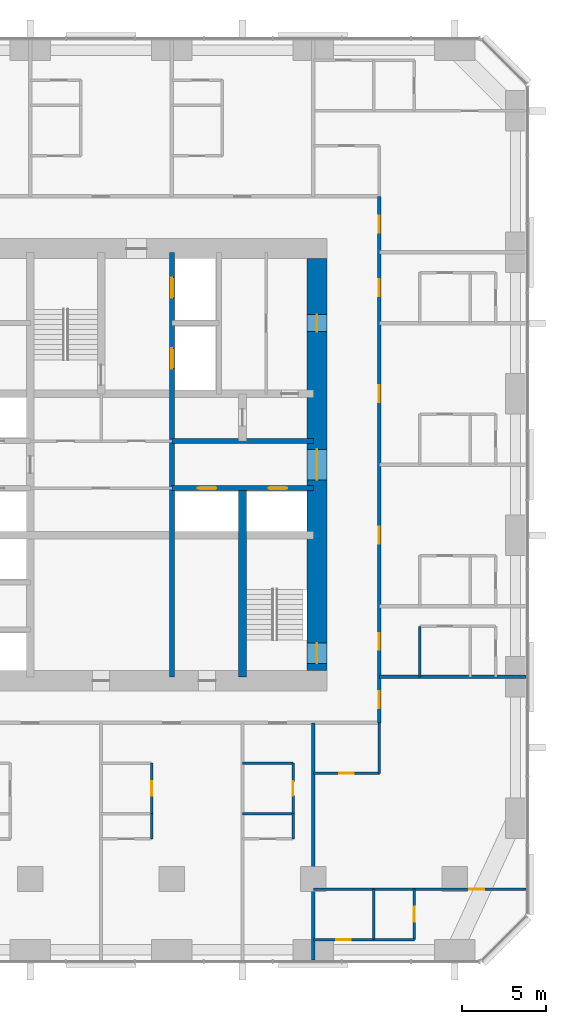
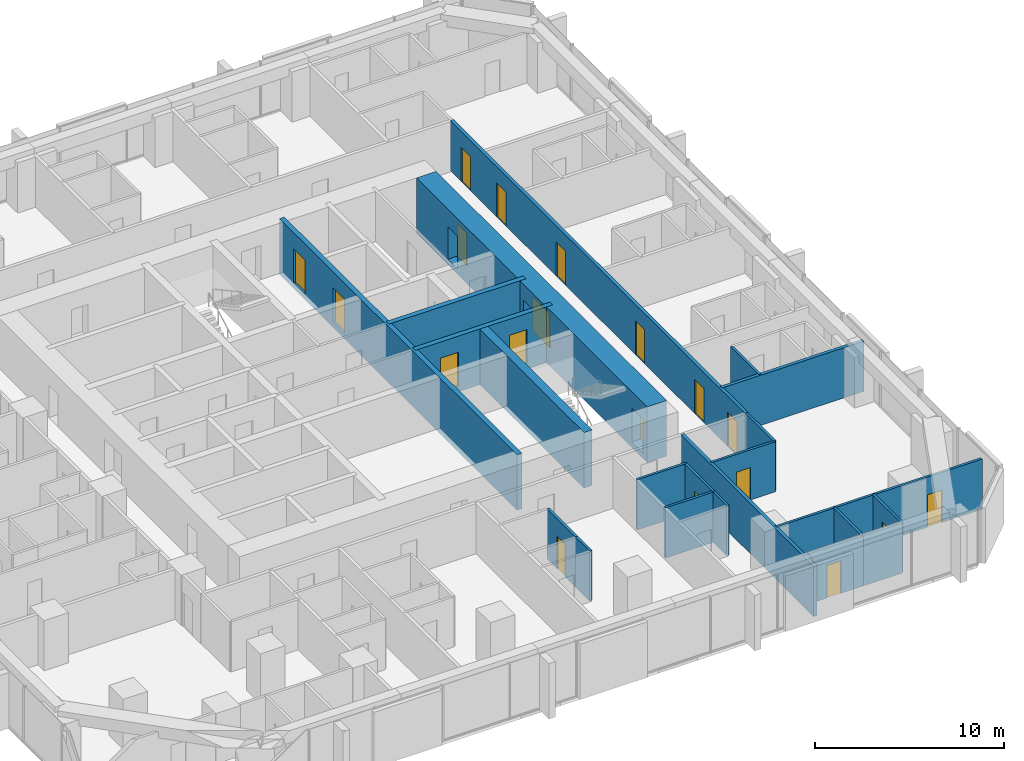
# One storey, part 10 of 14: 22 walls, 19 doors, 19 openings.
"""IFC4 building model written with IfcOpenShell, lengths in metres."""

from ifc_helpers import new_model, si_unit, direction, frame, frame_2d, origin, place, context, subcontext, project, spatial, rectangle, extrude, material, layer, layer_set, type_object, element, fill, save


model = new_model("IFC4")

# Units and contexts
model_context = context("Model", 3, precision=1e-05, world=origin(), true_north=direction((0.0, 1.0)))
body_context = subcontext(model_context, "Body", "Model", "MODEL_VIEW")
ifc_project = project(units=[si_unit("LENGTHUNIT", "METRE"), si_unit("AREAUNIT", "SQUARE_METRE"), si_unit("VOLUMEUNIT", "CUBIC_METRE"), si_unit("PLANEANGLEUNIT", "RADIAN"), si_unit("MASSUNIT", "GRAM", prefix="KILO")], contexts=[model_context])

# Site, building, storey
site_placement = place(None, origin())
site = spatial("IfcSite", under=ifc_project, at=site_placement, CompositionType="ELEMENT")
building_placement = place(site_placement, origin())
building = spatial("IfcBuilding", under=site, at=building_placement, Name="Dunama Terrace Hotel", CompositionType="ELEMENT")
storey_placement = place(building_placement, frame((0.0, 0.0, 104.39990234375)))
storey = spatial("IfcBuildingStorey", under=building, at=storey_placement, Name="L26", CompositionType="ELEMENT", Elevation=104.39990234375)

# Wall, opening, door
ifc_material_1 = material(Name="Gypsum board partition", Category="masonry")
ifc_layer_1 = layer(ifc_material_1, 0.14990234375)
ifc_layer_set_1 = layer_set([ifc_layer_1], Name="Bathroom partition 150")
wall_type_1 = type_object("IfcWallType", Name="Bathroom partition 150", PredefinedType="PARTITIONING", material=ifc_layer_set_1)
wall_1_placement = place(storey_placement, frame((32.39990234375, 8.675048828125, 0.0), z_axis=(0.0, 0.0, 1.0), x_axis=(0.0, 1.0, 0.0)))
wall_1 = element("IfcWall", 1, at=wall_1_placement, inside=storey, type_object=wall_type_1, Name="Bathroom partition 150 L26", PredefinedType="PARTITIONING", context=body_context, shape_type="SweptSolid", body=[
    extrude(rectangle(XDim=3.0, YDim=0.14990234375, at=frame_2d((1.5, 0.0))), origin(), (0.0, 0.0, 1.0), 3.25),
])
opening_1_placement = place(wall_1_placement, frame((1.074951171875, 0.0, 0.0)))
opening_1 = element("IfcOpeningElement", 2, at=opening_1_placement, cuts=wall_1, Name="Opening L25-27-018", PredefinedType="OPENING", context=body_context, shape_type="SweptSolid", body=[
    extrude(rectangle(XDim=0.85009765625, YDim=2.10009765625, at=frame_2d((0.425048828125, 1.050048828125))), frame((0.0, 0.0849609375, 0.0), z_axis=(0.0, -1.0, 0.0), x_axis=(1.0, 0.0, 0.0)), (0.0, 0.0, 1.0), 0.169921875),
])
ifc_material_2 = material(Name="Timber door with steel frame", Category="steel")
door_type_1 = type_object("IfcDoorType", Name="Bathroom door 850", OperationType="SINGLE_SWING_LEFT", PredefinedType="DOOR", material=ifc_material_2)
door_1_placement = place(opening_1_placement, origin())
door_1 = element("IfcDoor", 3, at=door_1_placement, inside=storey, type_object=door_type_1, Name="Door to en-suite bathroom L25-27-018, type D2", OperationType="SINGLE_SWING_LEFT", OverallHeight=2.10009765625, OverallWidth=0.85009765625, PredefinedType="DOOR", context=body_context, shape_type="SweptSolid", body=[
    extrude(rectangle(XDim=0.85009765625, YDim=2.10009765625, at=frame_2d((0.425048828125, 1.050048828125))), frame((0.0, 0.02490234375, 0.0), z_axis=(0.0, -1.0, 0.0), x_axis=(1.0, 0.0, 0.0)), (0.0, 0.0, 1.0), 0.050048828125),
])
fill(opening_1, door_1)

wall_2_placement = place(storey_placement, frame((40.800048828125, 8.675048828125, 0.0), z_axis=(0.0, 0.0, 1.0), x_axis=(0.0, 1.0, 0.0)))
wall_2 = element("IfcWall", 4, at=wall_2_placement, inside=storey, type_object=wall_type_1, Name="Bathroom partition 150 L26", PredefinedType="PARTITIONING", context=body_context, shape_type="SweptSolid", body=[
    extrude(rectangle(XDim=3.0, YDim=0.14990234375, at=frame_2d((1.5, 0.0))), origin(), (0.0, 0.0, 1.0), 3.25),
])
opening_2_placement = place(wall_2_placement, frame((1.074951171875, 0.0, 0.0)))
opening_2 = element("IfcOpeningElement", 5, at=opening_2_placement, cuts=wall_2, Name="Opening L25-27-021", PredefinedType="OPENING", context=body_context, shape_type="SweptSolid", body=[
    extrude(rectangle(XDim=0.85009765625, YDim=2.10009765625, at=frame_2d((0.425048828125, 1.050048828125))), frame((0.0, 0.0849609375, 0.0), z_axis=(0.0, -1.0, 0.0), x_axis=(1.0, 0.0, 0.0)), (0.0, 0.0, 1.0), 0.169921875),
])
door_2_placement = place(opening_2_placement, origin())
door_2 = element("IfcDoor", 6, at=door_2_placement, inside=storey, type_object=door_type_1, Name="Door to en-suite bathroom L25-27-021, type D2", OperationType="SINGLE_SWING_LEFT", OverallHeight=2.10009765625, OverallWidth=0.85009765625, PredefinedType="DOOR", context=body_context, shape_type="SweptSolid", body=[
    extrude(rectangle(XDim=0.85009765625, YDim=2.10009765625, at=frame_2d((0.425048828125, 1.050048828125))), frame((0.0, 0.02490234375, 0.0), z_axis=(0.0, -1.0, 0.0), x_axis=(1.0, 0.0, 0.0)), (0.0, 0.0, 1.0), 0.050048828125),
])
fill(opening_2, door_2)

# Walls
for number, where, z_axis, x_axis, name in (
    (7, (45.925048828125, 11.074951171875, 0.0), (0.0, 0.0, 1.0), (0.0, 1.0, 0.0), "Bathroom partition 150 L26"),
    (8, (48.324951171875, 16.800048828125, 0.0), (0.0, 0.0, 1.0), (0.0, 1.0, 0.0), "Bathroom partition 150 L26"),
):
    element("IfcWall", number, at=place(storey_placement, frame(where, z_axis=z_axis, x_axis=x_axis)), inside=storey, type_object=wall_type_1, Name=name, PredefinedType="PARTITIONING", context=body_context, shape_type="SweptSolid", body=[
        extrude(rectangle(XDim=3.0, YDim=0.14990234375, at=frame_2d((1.5, 0.0))), origin(), (0.0, 0.0, 1.0), 3.25),
    ])

# Wall, opening, door
wall_3_placement = place(storey_placement, frame((42.0, 1.199951171875, 0.0), z_axis=(0.0, 0.0, 1.0), x_axis=(1.0, 0.0, 0.0)))
wall_3 = element("IfcWall", 9, at=wall_3_placement, inside=storey, type_object=wall_type_1, Name="Bathroom partition 150 L26", PredefinedType="PARTITIONING", context=body_context, shape_type="SweptSolid", body=[
    extrude(rectangle(XDim=3.60009765625, YDim=0.14990234375, at=frame_2d((1.800048828125, 0.0))), origin(), (0.0, 0.0, 1.0), 3.25),
])
opening_3_placement = place(wall_3_placement, frame((1.375, 0.0, 0.0)))
opening_3 = element("IfcOpeningElement", 10, at=opening_3_placement, cuts=wall_3, Name="Opening L25-27-067", PredefinedType="OPENING", context=body_context, shape_type="SweptSolid", body=[
    extrude(rectangle(XDim=0.85009765625, YDim=2.10009765625, at=frame_2d((0.425048828125, 1.050048828125))), frame((0.0, 0.0849609375, 0.0), z_axis=(0.0, -1.0, 0.0), x_axis=(1.0, 0.0, 0.0)), (0.0, 0.0, 1.0), 0.169921875),
])
door_3_placement = place(opening_3_placement, origin())
door_3 = element("IfcDoor", 11, at=door_3_placement, inside=storey, type_object=door_type_1, Name="Door to en-suite bathroom L25-27-067, type D2", OperationType="SINGLE_SWING_LEFT", OverallHeight=2.10009765625, OverallWidth=0.85009765625, PredefinedType="DOOR", context=body_context, shape_type="SweptSolid", body=[
    extrude(rectangle(XDim=0.85009765625, YDim=2.10009765625, at=frame_2d((0.425048828125, 1.050048828125))), frame((0.0, 0.02490234375, 0.0), z_axis=(0.0, -1.0, 0.0), x_axis=(1.0, 0.0, 0.0)), (0.0, 0.0, 1.0), 0.050048828125),
])
fill(opening_3, door_3)

wall_4_placement = place(storey_placement, frame((42.0, 11.074951171875, 0.0), z_axis=(0.0, 0.0, 1.0), x_axis=(1.0, 0.0, 0.0)))
wall_4 = element("IfcWall", 12, at=wall_4_placement, inside=storey, type_object=wall_type_1, Name="Bathroom partition 150 L26", PredefinedType="PARTITIONING", context=body_context, shape_type="SweptSolid", body=[
    extrude(rectangle(XDim=3.925048828125, YDim=0.14990234375, at=frame_2d((1.96240234375, 0.0))), origin(), (0.0, 0.0, 1.0), 3.25),
])
opening_4_placement = place(wall_4_placement, frame((1.5380859375, 0.0, 0.0)))
opening_4 = element("IfcOpeningElement", 13, at=opening_4_placement, cuts=wall_4, Name="Opening L25-27-065", PredefinedType="OPENING", context=body_context, shape_type="SweptSolid", body=[
    extrude(rectangle(XDim=0.85009765625, YDim=2.10009765625, at=frame_2d((0.425048828125, 1.050048828125))), frame((0.0, 0.0849609375, 0.0), z_axis=(0.0, -1.0, 0.0), x_axis=(1.0, 0.0, 0.0)), (0.0, 0.0, 1.0), 0.169921875),
])
door_4_placement = place(opening_4_placement, origin())
door_4 = element("IfcDoor", 14, at=door_4_placement, inside=storey, type_object=door_type_1, Name="Door to powder room L25-27-065, type D2", OperationType="SINGLE_SWING_LEFT", OverallHeight=2.10009765625, OverallWidth=0.85009765625, PredefinedType="DOOR", context=body_context, shape_type="SweptSolid", body=[
    extrude(rectangle(XDim=0.85009765625, YDim=2.10009765625, at=frame_2d((0.425048828125, 1.050048828125))), frame((0.0, 0.02490234375, 0.0), z_axis=(0.0, -1.0, 0.0), x_axis=(1.0, 0.0, 0.0)), (0.0, 0.0, 1.0), 0.050048828125),
])
fill(opening_4, door_4)

# Wall
wall_5_placement = place(storey_placement, frame((37.800048828125, 11.675048828125, 0.0), z_axis=(0.0, 0.0, 1.0), x_axis=(1.0, 0.0, 0.0)))
element("IfcWall", 15, at=wall_5_placement, inside=storey, type_object=wall_type_1, Name="Bathroom partition 150 L26", PredefinedType="PARTITIONING", context=body_context, shape_type="SweptSolid", body=[
    extrude(rectangle(XDim=3.0, YDim=0.14990234375, at=frame_2d((1.5, 0.0))), origin(), (0.0, 0.0, 1.0), 3.25),
])

# Wall, openings, doors
ifc_material_3 = material(Name="Concrete C50/60", Category="concrete")
ifc_layer_2 = layer(ifc_material_3, 0.300048828125)
ifc_layer_set_2 = layer_set([ifc_layer_2], Name="Core inner wall 300")
wall_type_2 = type_object("IfcWallType", Name="Core inner wall 300", PredefinedType="SHEAR", material=ifc_layer_set_2)
wall_6_placement = place(storey_placement, frame((33.60009765625, 16.800048828125, -0.349853515625), z_axis=(0.0, 0.0, 1.0), x_axis=(0.0, 1.0, 0.0)))
wall_6 = element("IfcWall", 16, at=wall_6_placement, inside=storey, type_object=wall_type_2, Name="Core inner wall 300 L26", PredefinedType="SHEAR", context=body_context, shape_type="SweptSolid", body=[
    extrude(rectangle(XDim=25.199951171875, YDim=0.300048828125, at=frame_2d((12.60009765625, 0.0))), origin(), (0.0, 0.0, 1.0), 3.599853515625),
])
opening_5_placement = place(wall_6_placement, frame((22.5, 0.0, 0.35009765625)))
opening_5 = element("IfcOpeningElement", 17, at=opening_5_placement, cuts=wall_6, Name="Opening L25-27-009", PredefinedType="OPENING", context=body_context, shape_type="SweptSolid", body=[
    extrude(rectangle(XDim=1.199951171875, YDim=2.199951171875, at=frame_2d((0.60009765625, 1.10009765625))), frame((0.0, 0.159912109375, 0.0), z_axis=(0.0, -1.0, 0.0), x_axis=(1.0, 0.0, 0.0)), (0.0, 0.0, 1.0), 0.320068359375),
])
opening_6_placement = place(wall_6_placement, frame((18.300048828125, 0.0, 0.35009765625)))
opening_6 = element("IfcOpeningElement", 18, at=opening_6_placement, cuts=wall_6, Name="Opening L25-27-010", PredefinedType="OPENING", context=body_context, shape_type="SweptSolid", body=[
    extrude(rectangle(XDim=1.199951171875, YDim=2.199951171875, at=frame_2d((0.60009765625, 1.10009765625))), frame((0.0, 0.159912109375, 0.0), z_axis=(0.0, -1.0, 0.0), x_axis=(1.0, 0.0, 0.0)), (0.0, 0.0, 1.0), 0.320068359375),
])
ifc_material_4 = material(Name="Stainless steel lift door", Category="steel")
door_type_2 = type_object("IfcDoorType", Name="Firefighting lift landing door 1200", OperationType="DOUBLE_DOOR_SLIDING", PredefinedType="DOOR", material=ifc_material_4)
door_5_placement = place(opening_5_placement, origin())
door_5 = element("IfcDoor", 19, at=door_5_placement, inside=storey, type_object=door_type_2, Name="Landing door FL1 L25-27-009, type LD2", OperationType="DOUBLE_DOOR_SLIDING", OverallHeight=2.199951171875, OverallWidth=1.199951171875, PredefinedType="DOOR", context=body_context, shape_type="SweptSolid", body=[
    extrude(rectangle(XDim=1.199951171875, YDim=2.199951171875, at=frame_2d((0.60009765625, 1.10009765625))), frame((0.0, 0.02490234375, 0.0), z_axis=(0.0, -1.0, 0.0), x_axis=(1.0, 0.0, 0.0)), (0.0, 0.0, 1.0), 0.050048828125),
])
fill(opening_5, door_5)
door_6_placement = place(opening_6_placement, origin())
door_6 = element("IfcDoor", 20, at=door_6_placement, inside=storey, type_object=door_type_2, Name="Landing door FL2 L25-27-010, type LD2", OperationType="DOUBLE_DOOR_SLIDING", OverallHeight=2.199951171875, OverallWidth=1.199951171875, PredefinedType="DOOR", context=body_context, shape_type="SweptSolid", body=[
    extrude(rectangle(XDim=1.199951171875, YDim=2.199951171875, at=frame_2d((0.60009765625, 1.10009765625))), frame((0.0, 0.02490234375, 0.0), z_axis=(0.0, -1.0, 0.0), x_axis=(1.0, 0.0, 0.0)), (0.0, 0.0, 1.0), 0.050048828125),
])
fill(opening_6, door_6)

wall_7_placement = place(storey_placement, frame((33.60009765625, 28.0, -0.349853515625), z_axis=(0.0, 0.0, 1.0), x_axis=(1.0, 0.0, 0.0)))
wall_7 = element("IfcWall", 21, at=wall_7_placement, inside=storey, type_object=wall_type_2, Name="Core inner wall 300 L26", PredefinedType="SHEAR", context=body_context, shape_type="SweptSolid", body=[
    extrude(rectangle(XDim=8.39990234375, YDim=0.300048828125, at=frame_2d((4.199951171875, 0.0))), origin(), (0.0, 0.0, 1.0), 3.599853515625),
])
opening_7_placement = place(wall_7_placement, frame((1.550048828125, 0.0, 0.35009765625)))
opening_7 = element("IfcOpeningElement", 22, at=opening_7_placement, cuts=wall_7, Name="Opening L25-27-003", PredefinedType="OPENING", context=body_context, shape_type="SweptSolid", body=[
    extrude(rectangle(XDim=1.10009765625, YDim=2.199951171875, at=frame_2d((0.550048828125, 1.10009765625))), frame((0.0, 0.159912109375, 0.0), z_axis=(0.0, -1.0, 0.0), x_axis=(1.0, 0.0, 0.0)), (0.0, 0.0, 1.0), 0.320068359375),
])
opening_8_placement = place(wall_7_placement, frame((5.75, 0.0, 0.35009765625)))
opening_8 = element("IfcOpeningElement", 23, at=opening_8_placement, cuts=wall_7, Name="Opening L25-27-004", PredefinedType="OPENING", context=body_context, shape_type="SweptSolid", body=[
    extrude(rectangle(XDim=1.10009765625, YDim=2.199951171875, at=frame_2d((0.550048828125, 1.10009765625))), frame((0.0, 0.159912109375, 0.0), z_axis=(0.0, -1.0, 0.0), x_axis=(1.0, 0.0, 0.0)), (0.0, 0.0, 1.0), 0.320068359375),
])
ifc_material_5 = material(Name="Stainless steel lift door", Category="steel")
door_type_3 = type_object("IfcDoorType", Name="Lift landing door 1100", OperationType="DOUBLE_DOOR_SLIDING", PredefinedType="DOOR", material=ifc_material_5)
door_7_placement = place(opening_7_placement, origin())
door_7 = element("IfcDoor", 24, at=door_7_placement, inside=storey, type_object=door_type_3, Name="Landing door PB1 L25-27-003, type LD1", OperationType="DOUBLE_DOOR_SLIDING", OverallHeight=2.199951171875, OverallWidth=1.10009765625, PredefinedType="DOOR", context=body_context, shape_type="SweptSolid", body=[
    extrude(rectangle(XDim=1.10009765625, YDim=2.199951171875, at=frame_2d((0.550048828125, 1.10009765625))), frame((0.0, 0.02490234375, 0.0), z_axis=(0.0, -1.0, 0.0), x_axis=(1.0, 0.0, 0.0)), (0.0, 0.0, 1.0), 0.050048828125),
])
fill(opening_7, door_7)
door_8_placement = place(opening_8_placement, origin())
door_8 = element("IfcDoor", 25, at=door_8_placement, inside=storey, type_object=door_type_3, Name="Landing door PB2 L25-27-004, type LD1", OperationType="DOUBLE_DOOR_SLIDING", OverallHeight=2.199951171875, OverallWidth=1.10009765625, PredefinedType="DOOR", context=body_context, shape_type="SweptSolid", body=[
    extrude(rectangle(XDim=1.10009765625, YDim=2.199951171875, at=frame_2d((0.550048828125, 1.10009765625))), frame((0.0, 0.02490234375, 0.0), z_axis=(0.0, -1.0, 0.0), x_axis=(1.0, 0.0, 0.0)), (0.0, 0.0, 1.0), 0.050048828125),
])
fill(opening_8, door_8)

# Walls
wall_8_placement = place(storey_placement, frame((33.60009765625, 30.800048828125, -0.349853515625), z_axis=(0.0, 0.0, 1.0), x_axis=(1.0, 0.0, 0.0)))
element("IfcWall", 26, at=wall_8_placement, inside=storey, type_object=wall_type_2, Name="Core inner wall 300 L26", PredefinedType="SHEAR", context=body_context, shape_type="SweptSolid", body=[
    extrude(rectangle(XDim=8.39990234375, YDim=0.300048828125, at=frame_2d((4.199951171875, 0.0))), origin(), (0.0, 0.0, 1.0), 3.599853515625),
])
ifc_material_6 = material(Name="Concrete C50/60", Category="concrete")
ifc_layer_3 = layer(ifc_material_6, 0.5)
ifc_layer_set_3 = layer_set([ifc_layer_3], Name="Core inner wall 500")
wall_type_3 = type_object("IfcWallType", Name="Core inner wall 500", PredefinedType="SHEAR", material=ifc_layer_set_3)
wall_9_placement = place(storey_placement, frame((37.800048828125, 16.800048828125, -0.349853515625), z_axis=(0.0, 0.0, 1.0), x_axis=(0.0, 1.0, 0.0)))
element("IfcWall", 27, at=wall_9_placement, inside=storey, type_object=wall_type_3, Name="Core inner wall 500 L26", PredefinedType="SHEAR", context=body_context, shape_type="SweptSolid", body=[
    extrude(rectangle(XDim=11.199951171875, YDim=0.5, at=frame_2d((5.60009765625, 0.0))), origin(), (0.0, 0.0, 1.0), 3.599853515625),
])

# Wall, openings, doors
ifc_material_7 = material(Name="Concrete C60/75", Category="concrete")
ifc_layer_4 = layer(ifc_material_7, 1.199951171875)
ifc_layer_set_4 = layer_set([ifc_layer_4], Name="Core wall 1200")
wall_type_4 = type_object("IfcWallType", Name="Core wall 1200", PredefinedType="SHEAR", material=ifc_layer_set_4)
wall_10_placement = place(storey_placement, frame((42.22509765625, 17.175048828125, -0.349853515625), z_axis=(0.0, 0.0, 1.0), x_axis=(0.0, 1.0, 0.0)))
wall_10 = element("IfcWall", 28, at=wall_10_placement, inside=storey, type_object=wall_type_4, Name="Core wall east L26", PredefinedType="SHEAR", context=body_context, shape_type="SweptSolid", body=[
    extrude(rectangle(XDim=24.449951171875, YDim=1.199951171875, at=frame_2d((12.22509765625, 0.0))), origin(), (0.0, 0.0, 1.0), 3.599853515625),
])
opening_9_placement = place(wall_10_placement, frame((0.425048828125, 0.0, 0.35009765625)))
opening_9 = element("IfcOpeningElement", 29, at=opening_9_placement, cuts=wall_10, Name="Opening L25-27-002", PredefinedType="OPENING", context=body_context, shape_type="SweptSolid", body=[
    extrude(rectangle(XDim=1.199951171875, YDim=2.199951171875, at=frame_2d((0.60009765625, 1.10009765625))), frame((0.0, 0.60986328125, 0.0), z_axis=(0.0, -1.0, 0.0), x_axis=(1.0, 0.0, 0.0)), (0.0, 0.0, 1.0), 1.219970703125),
])
opening_10_placement = place(wall_10_placement, frame((11.324951171875, 0.0, 0.35009765625)))
opening_10 = element("IfcOpeningElement", 30, at=opening_10_placement, cuts=wall_10, Name="Opening L25-27-089", PredefinedType="OPENING", context=body_context, shape_type="SweptSolid", body=[
    extrude(rectangle(XDim=1.800048828125, YDim=2.199951171875, at=frame_2d((0.89990234375, 1.10009765625))), frame((0.0, 0.60986328125, 0.0), z_axis=(0.0, -1.0, 0.0), x_axis=(1.0, 0.0, 0.0)), (0.0, 0.0, 1.0), 1.219970703125),
])
opening_11_placement = place(wall_10_placement, frame((20.125, 0.0, 0.35009765625)))
opening_11 = element("IfcOpeningElement", 31, at=opening_11_placement, cuts=wall_10, Name="Opening L25-27-091", PredefinedType="OPENING", context=body_context, shape_type="SweptSolid", body=[
    extrude(rectangle(XDim=1.0, YDim=2.10009765625, at=frame_2d((0.5, 1.050048828125))), frame((0.0, 0.60986328125, 0.0), z_axis=(0.0, -1.0, 0.0), x_axis=(1.0, 0.0, 0.0)), (0.0, 0.0, 1.0), 1.219970703125),
])
ifc_material_8 = material(Name="Timber door with steel frame", Category="steel")
door_type_4 = type_object("IfcDoorType", Name="Lift lobby double door 1800", OperationType="DOUBLE_DOOR_DOUBLE_SWING", PredefinedType="DOOR", material=ifc_material_8)
door_9_placement = place(opening_10_placement, origin())
door_9 = element("IfcDoor", 32, at=door_9_placement, inside=storey, type_object=door_type_4, Name="Door to lift lobby L25-27-089, type D3", OperationType="DOUBLE_DOOR_DOUBLE_SWING", OverallHeight=2.199951171875, OverallWidth=1.800048828125, PredefinedType="DOOR", context=body_context, shape_type="SweptSolid", body=[
    extrude(rectangle(XDim=1.800048828125, YDim=2.199951171875, at=frame_2d((0.89990234375, 1.10009765625))), frame((0.0, 0.02490234375, 0.0), z_axis=(0.0, -1.0, 0.0), x_axis=(1.0, 0.0, 0.0)), (0.0, 0.0, 1.0), 0.050048828125),
])
fill(opening_10, door_9)
ifc_material_9 = material(Name="Timber door with steel frame", Category="steel")
door_type_5 = type_object("IfcDoorType", Name="Service door 1000", OperationType="SINGLE_SWING_LEFT", PredefinedType="DOOR", material=ifc_material_9)
door_10_placement = place(opening_11_placement, origin())
door_10 = element("IfcDoor", 33, at=door_10_placement, inside=storey, type_object=door_type_5, Name="Door to guest pantry L25-27-091, type D7", OperationType="SINGLE_SWING_LEFT", OverallHeight=2.10009765625, OverallWidth=1.0, PredefinedType="DOOR", context=body_context, shape_type="SweptSolid", body=[
    extrude(rectangle(XDim=1.0, YDim=2.10009765625, at=frame_2d((0.5, 1.050048828125))), frame((0.0, 0.02490234375, 0.0), z_axis=(0.0, -1.0, 0.0), x_axis=(1.0, 0.0, 0.0)), (0.0, 0.0, 1.0), 0.050048828125),
])
fill(opening_11, door_10)
ifc_material_10 = material(Name="Timber door with steel frame", Category="steel")
door_type_6 = type_object("IfcDoorType", Name="Stair door 1200", OperationType="SINGLE_SWING_LEFT", PredefinedType="DOOR", material=ifc_material_10)
door_11_placement = place(opening_9_placement, origin())
door_11 = element("IfcDoor", 34, at=door_11_placement, inside=storey, type_object=door_type_6, Name="Stair door ST2 L25-27-002, type D5", OperationType="SINGLE_SWING_LEFT", OverallHeight=2.199951171875, OverallWidth=1.199951171875, PredefinedType="DOOR", context=body_context, shape_type="SweptSolid", body=[
    extrude(rectangle(XDim=1.199951171875, YDim=2.199951171875, at=frame_2d((0.60009765625, 1.10009765625))), frame((0.0, 0.02490234375, 0.0), z_axis=(0.0, -1.0, 0.0), x_axis=(1.0, 0.0, 0.0)), (0.0, 0.0, 1.0), 0.050048828125),
])
fill(opening_9, door_11)

ifc_material_11 = material(Name="Concrete blockwork", Category="masonry")
ifc_layer_5 = layer(ifc_material_11, 0.199951171875)
ifc_layer_set_5 = layer_set([ifc_layer_5], Name="Corridor partition 200")
wall_type_5 = type_object("IfcWallType", Name="Corridor partition 200", PredefinedType="PARTITIONING", material=ifc_layer_set_5)
wall_11_placement = place(storey_placement, frame((45.925048828125, 45.324951171875, 0.0), z_axis=(0.0, 0.0, 1.0), x_axis=(0.0, -1.0, 0.0)))
wall_11 = element("IfcWall", 35, at=wall_11_placement, inside=storey, type_object=wall_type_5, Name="Corridor partition 200 L26", PredefinedType="PARTITIONING", context=body_context, shape_type="SweptSolid", body=[
    extrude(rectangle(XDim=31.25, YDim=0.199951171875, at=frame_2d((15.625, 0.0))), origin(), (0.0, 0.0, 1.0), 3.25),
])
opening_12_placement = place(wall_11_placement, frame((25.925048828125, 0.0, 0.0)))
opening_12 = element("IfcOpeningElement", 36, at=opening_12_placement, cuts=wall_11, Name="Opening L25-27-023", PredefinedType="OPENING", context=body_context, shape_type="SweptSolid", body=[
    extrude(rectangle(XDim=1.0, YDim=2.199951171875, at=frame_2d((0.5, 1.10009765625))), frame((0.0, 0.10986328125, 0.0), z_axis=(0.0, -1.0, 0.0), x_axis=(1.0, 0.0, 0.0)), (0.0, 0.0, 1.0), 0.219970703125),
])
opening_13_placement = place(wall_11_placement, frame((19.625, 0.0, 0.0)))
opening_13 = element("IfcOpeningElement", 37, at=opening_13_placement, cuts=wall_11, Name="Opening L25-27-026", PredefinedType="OPENING", context=body_context, shape_type="SweptSolid", body=[
    extrude(rectangle(XDim=1.0, YDim=2.199951171875, at=frame_2d((0.5, 1.10009765625))), frame((0.0, 0.10986328125, 0.0), z_axis=(0.0, -1.0, 0.0), x_axis=(1.0, 0.0, 0.0)), (0.0, 0.0, 1.0), 0.219970703125),
])
opening_14_placement = place(wall_11_placement, frame((11.22509765625, 0.0, 0.0)))
opening_14 = element("IfcOpeningElement", 38, at=opening_14_placement, cuts=wall_11, Name="Opening L25-27-029", PredefinedType="OPENING", context=body_context, shape_type="SweptSolid", body=[
    extrude(rectangle(XDim=1.0, YDim=2.199951171875, at=frame_2d((0.5, 1.10009765625))), frame((0.0, 0.10986328125, 0.0), z_axis=(0.0, -1.0, 0.0), x_axis=(1.0, 0.0, 0.0)), (0.0, 0.0, 1.0), 0.219970703125),
])
opening_15_placement = place(wall_11_placement, frame((4.925048828125, 0.0, 0.0)))
opening_15 = element("IfcOpeningElement", 39, at=opening_15_placement, cuts=wall_11, Name="Opening L25-27-032", PredefinedType="OPENING", context=body_context, shape_type="SweptSolid", body=[
    extrude(rectangle(XDim=1.0, YDim=2.199951171875, at=frame_2d((0.5, 1.10009765625))), frame((0.0, 0.10986328125, 0.0), z_axis=(0.0, -1.0, 0.0), x_axis=(1.0, 0.0, 0.0)), (0.0, 0.0, 1.0), 0.219970703125),
])
opening_16_placement = place(wall_11_placement, frame((29.386962890625, 0.0, 0.0)))
opening_16 = element("IfcOpeningElement", 40, at=opening_16_placement, cuts=wall_11, Name="Opening L25-27-064", PredefinedType="OPENING", context=body_context, shape_type="SweptSolid", body=[
    extrude(rectangle(XDim=1.0, YDim=2.199951171875, at=frame_2d((0.5, 1.10009765625))), frame((0.0, 0.10986328125, 0.0), z_axis=(0.0, -1.0, 0.0), x_axis=(1.0, 0.0, 0.0)), (0.0, 0.0, 1.0), 0.219970703125),
])
opening_17_placement = place(wall_11_placement, frame((1.162109375, 0.0, 0.0)))
opening_17 = element("IfcOpeningElement", 41, at=opening_17_placement, cuts=wall_11, Name="Opening L25-27-069", PredefinedType="OPENING", context=body_context, shape_type="SweptSolid", body=[
    extrude(rectangle(XDim=1.0, YDim=2.199951171875, at=frame_2d((0.5, 1.10009765625))), frame((0.0, 0.10986328125, 0.0), z_axis=(0.0, -1.0, 0.0), x_axis=(1.0, 0.0, 0.0)), (0.0, 0.0, 1.0), 0.219970703125),
])
ifc_material_12 = material(Name="Timber door with steel frame", Category="steel")
door_type_7 = type_object("IfcDoorType", Name="Guest room door 1000", OperationType="SINGLE_SWING_LEFT", PredefinedType="DOOR", material=ifc_material_12)
door_12_placement = place(opening_12_placement, origin())
door_12 = element("IfcDoor", 42, at=door_12_placement, inside=storey, type_object=door_type_7, Name="Door to premier room L25-27-023, type D1", OperationType="SINGLE_SWING_LEFT", OverallHeight=2.199951171875, OverallWidth=1.0, PredefinedType="DOOR", context=body_context, shape_type="SweptSolid", body=[
    extrude(rectangle(XDim=1.0, YDim=2.199951171875, at=frame_2d((0.5, 1.10009765625))), frame((0.0, 0.02490234375, 0.0), z_axis=(0.0, -1.0, 0.0), x_axis=(1.0, 0.0, 0.0)), (0.0, 0.0, 1.0), 0.050048828125),
])
fill(opening_12, door_12)
door_13_placement = place(opening_13_placement, origin())
door_13 = element("IfcDoor", 43, at=door_13_placement, inside=storey, type_object=door_type_7, Name="Door to junior suite L25-27-026, type D1", OperationType="SINGLE_SWING_RIGHT", OverallHeight=2.199951171875, OverallWidth=1.0, PredefinedType="DOOR", context=body_context, shape_type="SweptSolid", body=[
    extrude(rectangle(XDim=1.0, YDim=2.199951171875, at=frame_2d((0.5, 1.10009765625))), frame((0.0, 0.02490234375, 0.0), z_axis=(0.0, -1.0, 0.0), x_axis=(1.0, 0.0, 0.0)), (0.0, 0.0, 1.0), 0.050048828125),
])
fill(opening_13, door_13)
door_14_placement = place(opening_14_placement, origin())
door_14 = element("IfcDoor", 44, at=door_14_placement, inside=storey, type_object=door_type_7, Name="Door to junior suite L25-27-029, type D1", OperationType="SINGLE_SWING_RIGHT", OverallHeight=2.199951171875, OverallWidth=1.0, PredefinedType="DOOR", context=body_context, shape_type="SweptSolid", body=[
    extrude(rectangle(XDim=1.0, YDim=2.199951171875, at=frame_2d((0.5, 1.10009765625))), frame((0.0, 0.02490234375, 0.0), z_axis=(0.0, -1.0, 0.0), x_axis=(1.0, 0.0, 0.0)), (0.0, 0.0, 1.0), 0.050048828125),
])
fill(opening_14, door_14)
door_15_placement = place(opening_15_placement, origin())
door_15 = element("IfcDoor", 45, at=door_15_placement, inside=storey, type_object=door_type_7, Name="Door to premier room L25-27-032, type D1", OperationType="SINGLE_SWING_LEFT", OverallHeight=2.199951171875, OverallWidth=1.0, PredefinedType="DOOR", context=body_context, shape_type="SweptSolid", body=[
    extrude(rectangle(XDim=1.0, YDim=2.199951171875, at=frame_2d((0.5, 1.10009765625))), frame((0.0, 0.02490234375, 0.0), z_axis=(0.0, -1.0, 0.0), x_axis=(1.0, 0.0, 0.0)), (0.0, 0.0, 1.0), 0.050048828125),
])
fill(opening_15, door_15)
door_16_placement = place(opening_16_placement, origin())
door_16 = element("IfcDoor", 46, at=door_16_placement, inside=storey, type_object=door_type_7, Name="Door to corner suite living room L25-27-064, type D1", OperationType="SINGLE_SWING_LEFT", OverallHeight=2.199951171875, OverallWidth=1.0, PredefinedType="DOOR", context=body_context, shape_type="SweptSolid", body=[
    extrude(rectangle(XDim=1.0, YDim=2.199951171875, at=frame_2d((0.5, 1.10009765625))), frame((0.0, 0.02490234375, 0.0), z_axis=(0.0, -1.0, 0.0), x_axis=(1.0, 0.0, 0.0)), (0.0, 0.0, 1.0), 0.050048828125),
])
fill(opening_16, door_16)
door_17_placement = place(opening_17_placement, origin())
door_17 = element("IfcDoor", 47, at=door_17_placement, inside=storey, type_object=door_type_7, Name="Door to corner suite living room L25-27-069, type D1", OperationType="SINGLE_SWING_LEFT", OverallHeight=2.199951171875, OverallWidth=1.0, PredefinedType="DOOR", context=body_context, shape_type="SweptSolid", body=[
    extrude(rectangle(XDim=1.0, YDim=2.199951171875, at=frame_2d((0.5, 1.10009765625))), frame((0.0, 0.02490234375, 0.0), z_axis=(0.0, -1.0, 0.0), x_axis=(1.0, 0.0, 0.0)), (0.0, 0.0, 1.0), 0.050048828125),
])
fill(opening_17, door_17)

# Walls
ifc_material_13 = material(Name="Concrete blockwork", Category="masonry")
ifc_layer_6 = layer(ifc_material_13, 0.199951171875)
ifc_layer_set_6 = layer_set([ifc_layer_6], Name="Party wall 200")
wall_type_6 = type_object("IfcWallType", Name="Party wall 200", PredefinedType="PARTITIONING", material=ifc_layer_set_6)
wall_12_placement = place(storey_placement, frame((42.0, -0.01806640625, 0.0), z_axis=(0.0, 0.0, 1.0), x_axis=(0.0, 1.0, 0.0)))
element("IfcWall", 48, at=wall_12_placement, inside=storey, type_object=wall_type_6, Name="Party wall 200 L26", PredefinedType="PARTITIONING", context=body_context, shape_type="SweptSolid", body=[
    extrude(rectangle(XDim=14.093017578125, YDim=0.199951171875, at=frame_2d((7.04638671875, 0.0))), origin(), (0.0, 0.0, 1.0), 3.25),
])
wall_13_placement = place(storey_placement, frame((45.925048828125, 16.800048828125, 0.0), z_axis=(0.0, 0.0, 1.0), x_axis=(1.0, 0.0, 0.0)))
element("IfcWall", 49, at=wall_13_placement, inside=storey, type_object=wall_type_6, Name="Party wall 200 L26", PredefinedType="PARTITIONING", context=body_context, shape_type="SweptSolid", body=[
    extrude(rectangle(XDim=8.69287109375, YDim=0.199951171875, at=frame_2d((4.346435546875, 0.0))), origin(), (0.0, 0.0, 1.0), 3.25),
])
ifc_material_14 = material(Name="Gypsum board partition", Category="masonry")
ifc_layer_7 = layer(ifc_material_14, 0.14990234375)
ifc_layer_set_7 = layer_set([ifc_layer_7], Name="Room partition 150")
wall_type_7 = type_object("IfcWallType", Name="Room partition 150", PredefinedType="PARTITIONING", material=ifc_layer_set_7)
for number, where, z_axis, x_axis, name in (
    (50, (32.39990234375, 7.175048828125, 0.0), (0.0, 0.0, 1.0), (0.0, 1.0, 0.0), "Room partition 150 L26"),
    (51, (40.800048828125, 7.175048828125, 0.0), (0.0, 0.0, 1.0), (0.0, 1.0, 0.0), "Room partition 150 L26"),
):
    element("IfcWall", number, at=place(storey_placement, frame(where, z_axis=z_axis, x_axis=x_axis)), inside=storey, type_object=wall_type_7, Name=name, PredefinedType="PARTITIONING", context=body_context, shape_type="SweptSolid", body=[
        extrude(rectangle(XDim=1.5, YDim=0.14990234375, at=frame_2d((0.75, 0.0))), origin(), (0.0, 0.0, 1.0), 3.25),
    ])
wall_14_placement = place(storey_placement, frame((45.60009765625, 1.199951171875, 0.0), z_axis=(0.0, 0.0, 1.0), x_axis=(0.0, 1.0, 0.0)))
element("IfcWall", 52, at=wall_14_placement, inside=storey, type_object=wall_type_7, Name="Room partition 150 L26", PredefinedType="PARTITIONING", context=body_context, shape_type="SweptSolid", body=[
    extrude(rectangle(XDim=3.0, YDim=0.14990234375, at=frame_2d((1.5, 0.0))), origin(), (0.0, 0.0, 1.0), 3.25),
])

# Wall, opening, door
wall_15_placement = place(storey_placement, frame((48.0, 1.199951171875, 0.0), z_axis=(0.0, 0.0, 1.0), x_axis=(0.0, 1.0, 0.0)))
wall_15 = element("IfcWall", 53, at=wall_15_placement, inside=storey, type_object=wall_type_7, Name="Room partition 150 L26", PredefinedType="PARTITIONING", context=body_context, shape_type="SweptSolid", body=[
    extrude(rectangle(XDim=3.0, YDim=0.14990234375, at=frame_2d((1.5, 0.0))), origin(), (0.0, 0.0, 1.0), 3.25),
])
opening_18_placement = place(wall_15_placement, frame((1.050048828125, 0.0, 0.0)))
opening_18 = element("IfcOpeningElement", 54, at=opening_18_placement, cuts=wall_15, Name="Opening L25-27-068", PredefinedType="OPENING", context=body_context, shape_type="SweptSolid", body=[
    extrude(rectangle(XDim=0.89990234375, YDim=2.10009765625, at=frame_2d((0.449951171875, 1.050048828125))), frame((0.0, 0.0849609375, 0.0), z_axis=(0.0, -1.0, 0.0), x_axis=(1.0, 0.0, 0.0)), (0.0, 0.0, 1.0), 0.169921875),
])
ifc_material_15 = material(Name="Timber door with steel frame", Category="steel")
door_type_8 = type_object("IfcDoorType", Name="Suite internal door 900", OperationType="SINGLE_SWING_LEFT", PredefinedType="DOOR", material=ifc_material_15)
door_18_placement = place(opening_18_placement, origin())
door_18 = element("IfcDoor", 55, at=door_18_placement, inside=storey, type_object=door_type_8, Name="Door to dressing room L25-27-068, type D16", OperationType="SINGLE_SWING_LEFT", OverallHeight=2.10009765625, OverallWidth=0.89990234375, PredefinedType="DOOR", context=body_context, shape_type="SweptSolid", body=[
    extrude(rectangle(XDim=0.89990234375, YDim=2.10009765625, at=frame_2d((0.449951171875, 1.050048828125))), frame((0.0, 0.02490234375, 0.0), z_axis=(0.0, -1.0, 0.0), x_axis=(1.0, 0.0, 0.0)), (0.0, 0.0, 1.0), 0.050048828125),
])
fill(opening_18, door_18)

# Wall
wall_16_placement = place(storey_placement, frame((45.60009765625, 1.199951171875, 0.0), z_axis=(0.0, 0.0, 1.0), x_axis=(1.0, 0.0, 0.0)))
element("IfcWall", 56, at=wall_16_placement, inside=storey, type_object=wall_type_7, Name="Room partition 150 L26", PredefinedType="PARTITIONING", context=body_context, shape_type="SweptSolid", body=[
    extrude(rectangle(XDim=2.39990234375, YDim=0.14990234375, at=frame_2d((1.199951171875, 0.0))), origin(), (0.0, 0.0, 1.0), 3.25),
])

# Wall, opening, door
wall_17_placement = place(storey_placement, frame((42.0, 4.199951171875, 0.0), z_axis=(0.0, 0.0, 1.0), x_axis=(1.0, 0.0, 0.0)))
wall_17 = element("IfcWall", 57, at=wall_17_placement, inside=storey, type_object=wall_type_7, Name="Room partition 150 L26", PredefinedType="PARTITIONING", context=body_context, shape_type="SweptSolid", body=[
    extrude(rectangle(XDim=12.617919921875, YDim=0.14990234375, at=frame_2d((6.30908203125, 0.0))), origin(), (0.0, 0.0, 1.0), 3.25),
])
opening_19_placement = place(wall_17_placement, frame((9.25, 0.0, 0.0)))
opening_19 = element("IfcOpeningElement", 58, at=opening_19_placement, cuts=wall_17, Name="Opening L25-27-066", PredefinedType="OPENING", context=body_context, shape_type="SweptSolid", body=[
    extrude(rectangle(XDim=0.89990234375, YDim=2.10009765625, at=frame_2d((0.449951171875, 1.050048828125))), frame((0.0, 0.0849609375, 0.0), z_axis=(0.0, -1.0, 0.0), x_axis=(1.0, 0.0, 0.0)), (0.0, 0.0, 1.0), 0.169921875),
])
door_19_placement = place(opening_19_placement, frame((0.89990234375, 0.0, 0.0), z_axis=(0.0, 0.0, 1.0), x_axis=(-1.0, 0.0, 0.0)))
door_19 = element("IfcDoor", 59, at=door_19_placement, inside=storey, type_object=door_type_8, Name="Door to corner suite bedroom L25-27-066, type D16", OperationType="SINGLE_SWING_RIGHT", OverallHeight=2.10009765625, OverallWidth=0.89990234375, PredefinedType="DOOR", context=body_context, shape_type="SweptSolid", body=[
    extrude(rectangle(XDim=0.89990234375, YDim=2.10009765625, at=frame_2d((0.449951171875, 1.050048828125))), frame((0.0, 0.025146484375, 0.0), z_axis=(0.0, -1.0, 0.0), x_axis=(1.0, 0.0, 0.0)), (0.0, 0.0, 1.0), 0.050048828125),
])
fill(opening_19, door_19)

# Wall
wall_18_placement = place(storey_placement, frame((37.800048828125, 8.675048828125, 0.0), z_axis=(0.0, 0.0, 1.0), x_axis=(1.0, 0.0, 0.0)))
element("IfcWall", 60, at=wall_18_placement, inside=storey, type_object=wall_type_7, Name="Room partition 150 L26", PredefinedType="PARTITIONING", context=body_context, shape_type="SweptSolid", body=[
    extrude(rectangle(XDim=3.0, YDim=0.14990234375, at=frame_2d((1.5, 0.0))), origin(), (0.0, 0.0, 1.0), 3.25),
])

save(model, "model.ifc")
